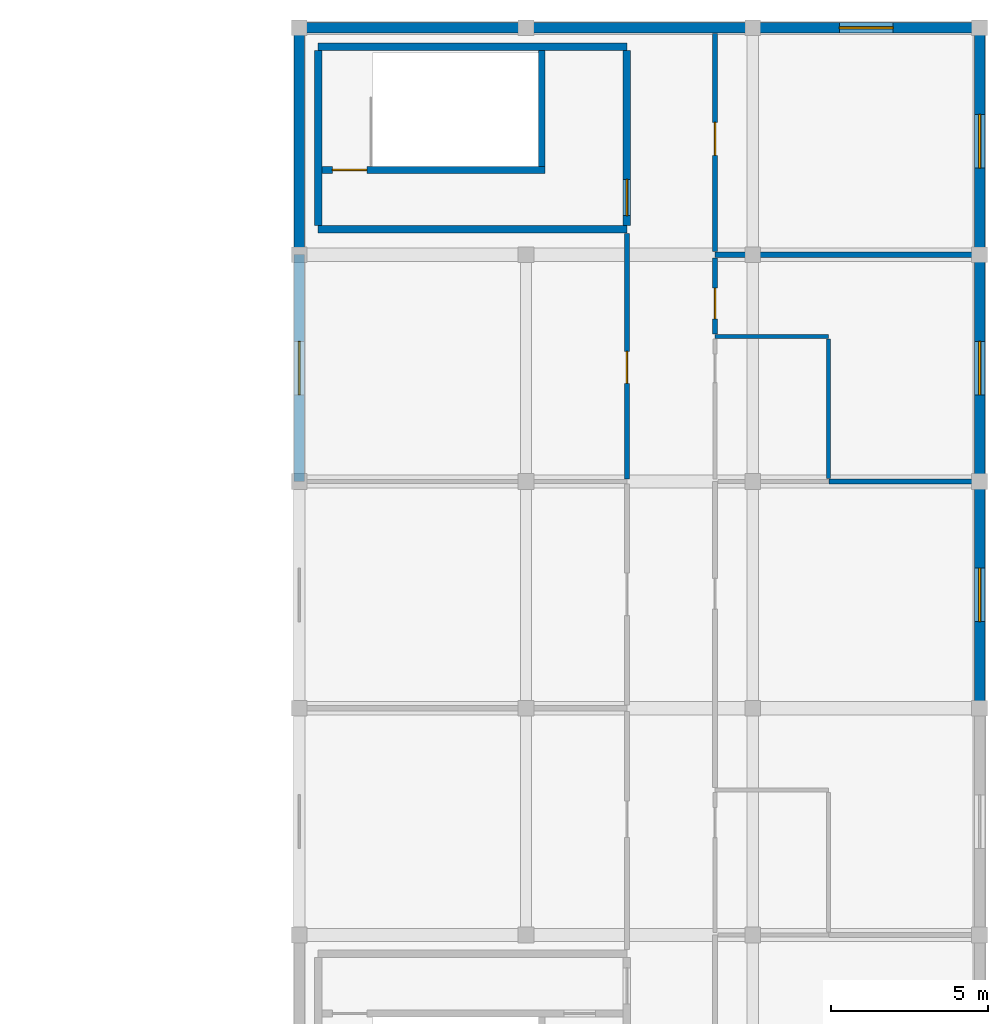
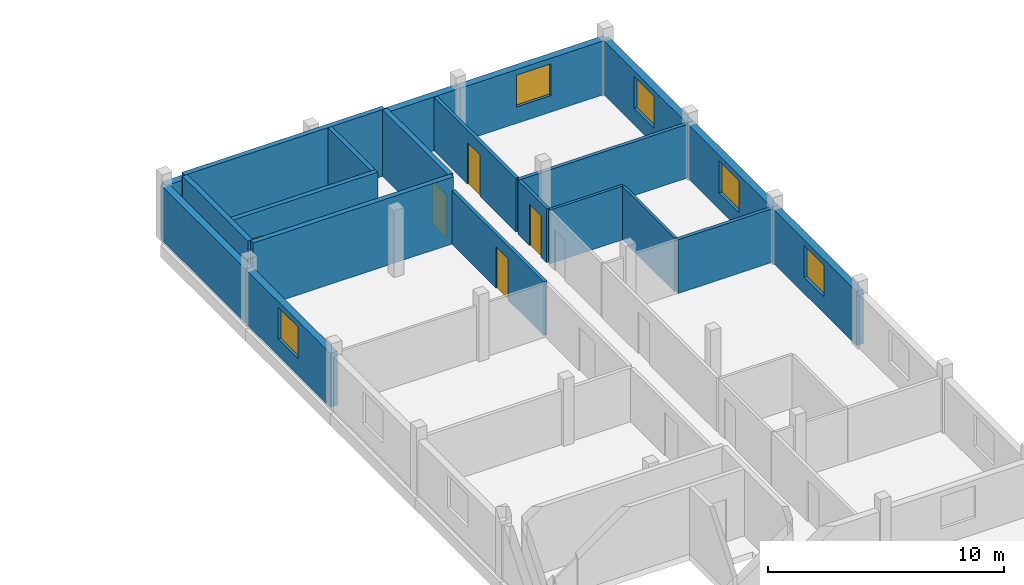
# One storey, part 23 of 26: 21 walls, 5 doors, 5 windows, 10 openings.
"""IFC4 building model written with IfcOpenShell, lengths in metres."""

from ifc_helpers import new_model, si_unit, direction, frame, frame_2d, origin, place, context, subcontext, project, spatial, rectangle, extrude, material, layer, layer_set, type_object, element, fill, save


model = new_model("IFC4")

# Units and contexts
model_context = context("Model", 3, precision=1e-05, world=origin(), true_north=direction((0.0, 1.0)))
body_context = subcontext(model_context, "Body", "Model", "MODEL_VIEW")
ifc_project = project(units=[si_unit("LENGTHUNIT", "METRE"), si_unit("AREAUNIT", "SQUARE_METRE"), si_unit("VOLUMEUNIT", "CUBIC_METRE"), si_unit("PLANEANGLEUNIT", "RADIAN"), si_unit("MASSUNIT", "GRAM", prefix="KILO")], contexts=[model_context])

# Site, building, storey
site_placement = place(None, origin())
site = spatial("IfcSite", under=ifc_project, at=site_placement, CompositionType="ELEMENT")
building_placement = place(site_placement, origin())
building = spatial("IfcBuilding", under=site, at=building_placement, Name="Zornivar Specialist Clinic", CompositionType="ELEMENT")
storey_placement = place(building_placement, frame((0.0, 0.0, 19.699951171875)))
storey = spatial("IfcBuildingStorey", under=building, at=storey_placement, Name="L05", CompositionType="ELEMENT", Elevation=19.699951171875)

# Wall, opening, window
ifc_material_1 = material(Name="Masonry Laboratory Terracotta and Stone Cavity Wall", Category="masonry")
ifc_layer_1 = layer(ifc_material_1, 0.340087890625)
ifc_layer_set_1 = layer_set([ifc_layer_1], Name="Masonry Laboratory Terracotta and Stone Cavity Wall")
wall_type_1 = type_object("IfcWallType", Name="EW-LAB-340", PredefinedType="SOLIDWALL", material=ifc_layer_set_1)
wall_1_placement = place(storey_placement, frame((165.60009765625, 86.39990234375, 0.0), z_axis=(0.0, 0.0, 1.0), x_axis=(0.0, 1.0, 0.0)))
wall_1 = element("IfcWall", 1, at=wall_1_placement, inside=storey, type_object=wall_type_1, Name="ew:V6:L05:05", PredefinedType="SOLIDWALL", context=body_context, shape_type="SweptSolid", body=[
    extrude(rectangle(XDim=7.2001953125, YDim=0.340087890625, at=frame_2d((3.60009765625, 0.0))), origin(), (0.0, 0.0, 1.0), 2.7900390625),
])
opening_1_placement = place(wall_1_placement, frame((2.75, 0.0, 0.85009765625)))
opening_1 = element("IfcOpeningElement", 2, at=opening_1_placement, cuts=wall_1, Name="Opening W-21", PredefinedType="OPENING", context=body_context, shape_type="SweptSolid", body=[
    extrude(rectangle(XDim=1.699951171875, YDim=1.64990234375, at=frame_2d((0.85009765625, 0.824951171875))), frame((0.0, 0.179931640625, 0.0), z_axis=(0.0, -1.0, 0.0), x_axis=(1.0, 0.0, 0.0)), (0.0, 0.0, 1.0), 0.360107421875),
])
ifc_material_2 = material(Name="Triple-Glazed Aluminium-Timber Window Glass", Category="wood")
window_type = type_object("IfcWindowType", Name="WIN-LAB-UPPER-1700x1650", PartitioningType="SINGLE_PANEL", PredefinedType="WINDOW", material=ifc_material_2)
window_1_placement = place(opening_1_placement, origin())
window_1 = element("IfcWindow", 3, at=window_1_placement, inside=storey, type_object=window_type, Name="win:V6:L05:05", OverallHeight=1.64990234375, OverallWidth=1.699951171875, PartitioningType="SINGLE_PANEL", PredefinedType="WINDOW", context=body_context, shape_type="SweptSolid", body=[
    extrude(rectangle(XDim=1.699951171875, YDim=1.64990234375, at=frame_2d((0.85009765625, 0.824951171875))), frame((0.0, 0.030029296875, 0.0), z_axis=(0.0, -1.0, 0.0), x_axis=(1.0, 0.0, 0.0)), (0.0, 0.0, 1.0), 0.06005859375),
])
fill(opening_1, window_1)

wall_2_placement = place(storey_placement, frame((165.60009765625, 93.60009765625, 0.0), z_axis=(0.0, 0.0, 1.0), x_axis=(0.0, 1.0, 0.0)))
wall_2 = element("IfcWall", 4, at=wall_2_placement, inside=storey, type_object=wall_type_1, Name="ew:V6:L05:06", PredefinedType="SOLIDWALL", context=body_context, shape_type="SweptSolid", body=[
    extrude(rectangle(XDim=7.199951171875, YDim=0.340087890625, at=frame_2d((3.60009765625, 0.0))), origin(), (0.0, 0.0, 1.0), 2.7900390625),
])
opening_2_placement = place(wall_2_placement, frame((2.75, 0.0, 0.85009765625)))
opening_2 = element("IfcOpeningElement", 5, at=opening_2_placement, cuts=wall_2, Name="Opening W-21", PredefinedType="OPENING", context=body_context, shape_type="SweptSolid", body=[
    extrude(rectangle(XDim=1.699951171875, YDim=1.64990234375, at=frame_2d((0.85009765625, 0.824951171875))), frame((0.0, 0.179931640625, 0.0), z_axis=(0.0, -1.0, 0.0), x_axis=(1.0, 0.0, 0.0)), (0.0, 0.0, 1.0), 0.360107421875),
])
window_2_placement = place(opening_2_placement, origin())
window_2 = element("IfcWindow", 6, at=window_2_placement, inside=storey, type_object=window_type, Name="win:V6:L05:06", OverallHeight=1.64990234375, OverallWidth=1.699951171875, PartitioningType="SINGLE_PANEL", PredefinedType="WINDOW", context=body_context, shape_type="SweptSolid", body=[
    extrude(rectangle(XDim=1.699951171875, YDim=1.64990234375, at=frame_2d((0.85009765625, 0.824951171875))), frame((0.0, 0.030029296875, 0.0), z_axis=(0.0, -1.0, 0.0), x_axis=(1.0, 0.0, 0.0)), (0.0, 0.0, 1.0), 0.06005859375),
])
fill(opening_2, window_2)

wall_3_placement = place(storey_placement, frame((165.60009765625, 100.800048828125, 0.0), z_axis=(0.0, 0.0, 1.0), x_axis=(0.0, 1.0, 0.0)))
wall_3 = element("IfcWall", 7, at=wall_3_placement, inside=storey, type_object=wall_type_1, Name="ew:V6:L05:07", PredefinedType="SOLIDWALL", context=body_context, shape_type="SweptSolid", body=[
    extrude(rectangle(XDim=7.199951171875, YDim=0.340087890625, at=frame_2d((3.60009765625, 0.0))), origin(), (0.0, 0.0, 1.0), 2.7900390625),
])
opening_3_placement = place(wall_3_placement, frame((2.75, 0.0, 0.85009765625)))
opening_3 = element("IfcOpeningElement", 8, at=opening_3_placement, cuts=wall_3, Name="Opening W-21", PredefinedType="OPENING", context=body_context, shape_type="SweptSolid", body=[
    extrude(rectangle(XDim=1.699951171875, YDim=1.64990234375, at=frame_2d((0.85009765625, 0.824951171875))), frame((0.0, 0.179931640625, 0.0), z_axis=(0.0, -1.0, 0.0), x_axis=(1.0, 0.0, 0.0)), (0.0, 0.0, 1.0), 0.360107421875),
])
window_3_placement = place(opening_3_placement, origin())
window_3 = element("IfcWindow", 9, at=window_3_placement, inside=storey, type_object=window_type, Name="win:V6:L05:07", OverallHeight=1.64990234375, OverallWidth=1.699951171875, PartitioningType="SINGLE_PANEL", PredefinedType="WINDOW", context=body_context, shape_type="SweptSolid", body=[
    extrude(rectangle(XDim=1.699951171875, YDim=1.64990234375, at=frame_2d((0.85009765625, 0.824951171875))), frame((0.0, 0.030029296875, 0.0), z_axis=(0.0, -1.0, 0.0), x_axis=(1.0, 0.0, 0.0)), (0.0, 0.0, 1.0), 0.06005859375),
])
fill(opening_3, window_3)

wall_4_placement = place(storey_placement, frame((165.60009765625, 108.0, 0.0), z_axis=(0.0, 0.0, 1.0), x_axis=(-1.0, 0.0, 0.0)))
wall_4 = element("IfcWall", 10, at=wall_4_placement, inside=storey, type_object=wall_type_1, Name="ew:V6:L05:08", PredefinedType="SOLIDWALL", context=body_context, shape_type="SweptSolid", body=[
    extrude(rectangle(XDim=7.2001953125, YDim=0.340087890625, at=frame_2d((3.60009765625, 0.0))), origin(), (0.0, 0.0, 1.0), 2.7900390625),
])
opening_4_placement = place(wall_4_placement, frame((2.75, 0.0, 0.85009765625)))
opening_4 = element("IfcOpeningElement", 11, at=opening_4_placement, cuts=wall_4, Name="Opening W-21", PredefinedType="OPENING", context=body_context, shape_type="SweptSolid", body=[
    extrude(rectangle(XDim=1.699951171875, YDim=1.64990234375, at=frame_2d((0.85009765625, 0.824951171875))), frame((0.0, 0.179931640625, 0.0), z_axis=(0.0, -1.0, 0.0), x_axis=(1.0, 0.0, 0.0)), (0.0, 0.0, 1.0), 0.360107421875),
])
window_4_placement = place(opening_4_placement, origin())
window_4 = element("IfcWindow", 12, at=window_4_placement, inside=storey, type_object=window_type, Name="win:V6:L05:08", OverallHeight=1.64990234375, OverallWidth=1.699951171875, PartitioningType="SINGLE_PANEL", PredefinedType="WINDOW", context=body_context, shape_type="SweptSolid", body=[
    extrude(rectangle(XDim=1.699951171875, YDim=1.64990234375, at=frame_2d((0.85009765625, 0.824951171875))), frame((0.0, 0.030029296875, 0.0), z_axis=(0.0, -1.0, 0.0), x_axis=(1.0, 0.0, 0.0)), (0.0, 0.0, 1.0), 0.06005859375),
])
fill(opening_4, window_4)

# Walls
for number, where, z_axis, x_axis, name in (
    (13, (158.39990234375, 108.0, 0.0), (0.0, 0.0, 1.0), (-1.0, 0.0, 0.0), "ew:V6:L05:09"),
    (14, (151.199951171875, 108.0, 0.0), (0.0, 0.0, 1.0), (-1.0, 0.0, 0.0), "ew:V6:L05:10"),
    (15, (144.0, 108.0, 0.0), (0.0, 0.0, 1.0), (0.0, -1.0, 0.0), "ew:V6:L05:11"),
):
    element("IfcWall", number, at=place(storey_placement, frame(where, z_axis=z_axis, x_axis=x_axis)), inside=storey, type_object=wall_type_1, Name=name, PredefinedType="SOLIDWALL", context=body_context, shape_type="SweptSolid", body=[
        extrude(rectangle(XDim=7.199951171875, YDim=0.340087890625, at=frame_2d((3.60009765625, 0.0))), origin(), (0.0, 0.0, 1.0), 2.7900390625),
    ])

# Wall, opening, window
wall_5_placement = place(storey_placement, frame((144.0, 100.800048828125, 0.0), z_axis=(0.0, 0.0, 1.0), x_axis=(0.0, -1.0, 0.0)))
wall_5 = element("IfcWall", 16, at=wall_5_placement, inside=storey, type_object=wall_type_1, Name="ew:V6:L05:12", PredefinedType="SOLIDWALL", context=body_context, shape_type="SweptSolid", body=[
    extrude(rectangle(XDim=7.199951171875, YDim=0.340087890625, at=frame_2d((3.60009765625, 0.0))), origin(), (0.0, 0.0, 1.0), 2.7900390625),
])
opening_5_placement = place(wall_5_placement, frame((2.75, 0.0, 0.85009765625)))
opening_5 = element("IfcOpeningElement", 17, at=opening_5_placement, cuts=wall_5, Name="Opening W-21", PredefinedType="OPENING", context=body_context, shape_type="SweptSolid", body=[
    extrude(rectangle(XDim=1.699951171875, YDim=1.64990234375, at=frame_2d((0.85009765625, 0.824951171875))), frame((0.0, 0.179931640625, 0.0), z_axis=(0.0, -1.0, 0.0), x_axis=(1.0, 0.0, 0.0)), (0.0, 0.0, 1.0), 0.360107421875),
])
window_5_placement = place(opening_5_placement, origin())
window_5 = element("IfcWindow", 18, at=window_5_placement, inside=storey, type_object=window_type, Name="win:V6:L05:12", OverallHeight=1.64990234375, OverallWidth=1.699951171875, PartitioningType="SINGLE_PANEL", PredefinedType="WINDOW", context=body_context, shape_type="SweptSolid", body=[
    extrude(rectangle(XDim=1.699951171875, YDim=1.64990234375, at=frame_2d((0.85009765625, 0.824951171875))), frame((0.0, 0.030029296875, 0.0), z_axis=(0.0, -1.0, 0.0), x_axis=(1.0, 0.0, 0.0)), (0.0, 0.0, 1.0), 0.06005859375),
])
fill(opening_5, window_5)

# Wall, opening, door
ifc_material_3 = material(Name="Gypsum Fire-Rated Double Stud Partition")
ifc_layer_2 = layer(ifc_material_3, 0.159912109375)
ifc_layer_set_2 = layer_set([ifc_layer_2], Name="Gypsum Fire-Rated Double Stud Partition")
wall_type_2 = type_object("IfcWallType", Name="IW-CORR-EI60-160", PredefinedType="PARTITIONING", material=ifc_layer_set_2)
wall_6_placement = place(storey_placement, frame((154.39990234375, 101.465087890625, 0.0), z_axis=(0.0, 0.0, 1.0), x_axis=(0.0, -1.0, 0.0)))
wall_6 = element("IfcWall", 19, at=wall_6_placement, inside=storey, type_object=wall_type_2, Name="iw:L05:033", PredefinedType="PARTITIONING", context=body_context, shape_type="SweptSolid", body=[
    extrude(rectangle(XDim=7.791015625, YDim=0.159912109375, at=frame_2d((3.8955078125, 0.0))), origin(), (0.0, 0.0, 1.0), 2.780029296875),
])
opening_6_placement = place(wall_6_placement, frame((3.73388671875, 0.0, 0.0)))
opening_6 = element("IfcOpeningElement", 20, at=opening_6_placement, cuts=wall_6, Name="Opening ID-14", PredefinedType="OPENING", context=body_context, shape_type="SweptSolid", body=[
    extrude(rectangle(XDim=1.02001953125, YDim=2.14990234375, at=frame_2d((0.510009765625, 1.074951171875))), frame((0.0, 0.08984375, 0.0), z_axis=(0.0, -1.0, 0.0), x_axis=(1.0, 0.0, 0.0)), (0.0, 0.0, 1.0), 0.179931640625),
])
ifc_material_4 = material(Name="Solid-Core Hygienic Laminate Timber Door", Category="wood")
door_type_1 = type_object("IfcDoorType", Name="ID-OFFICE-1020x2150", OperationType="NOTDEFINED", PredefinedType="DOOR", material=ifc_material_4)
door_1_placement = place(opening_6_placement, origin())
door_1 = element("IfcDoor", 21, at=door_1_placement, inside=storey, type_object=door_type_1, Name="door:space:V6:L05:rm:02", OperationType="SINGLE_SWING_LEFT", OverallHeight=2.14990234375, OverallWidth=1.02001953125, PredefinedType="DOOR", context=body_context, shape_type="SweptSolid", body=[
    extrude(rectangle(XDim=1.02001953125, YDim=2.14990234375, at=frame_2d((0.510009765625, 1.074951171875))), frame((0.0, 0.02490234375, 0.0), z_axis=(0.0, -1.0, 0.0), x_axis=(1.0, 0.0, 0.0)), (0.0, 0.0, 1.0), 0.050048828125),
])
fill(opening_6, door_1)

wall_7_placement = place(storey_placement, frame((157.199951171875, 98.279052734375, 0.0), z_axis=(0.0, 0.0, 1.0), x_axis=(0.0, 1.0, 0.0)))
wall_7 = element("IfcWall", 22, at=wall_7_placement, inside=storey, type_object=wall_type_2, Name="iw:L05:047", PredefinedType="PARTITIONING", context=body_context, shape_type="SweptSolid", body=[
    extrude(rectangle(XDim=2.421875, YDim=0.159912109375, at=frame_2d((1.2109375, 0.0))), origin(), (0.0, 0.0, 1.0), 2.780029296875),
])
opening_7_placement = place(wall_7_placement, frame((0.47998046875, 0.0, 0.0)))
opening_7 = element("IfcOpeningElement", 23, at=opening_7_placement, cuts=wall_7, Name="Opening ID-09", PredefinedType="OPENING", context=body_context, shape_type="SweptSolid", body=[
    extrude(rectangle(XDim=0.97998046875, YDim=2.14990234375, at=frame_2d((0.489990234375, 1.074951171875))), frame((0.0, 0.08984375, 0.0), z_axis=(0.0, -1.0, 0.0), x_axis=(1.0, 0.0, 0.0)), (0.0, 0.0, 1.0), 0.179931640625),
])
ifc_material_5 = material(Name="Solid-Core Hygienic Laminate Timber Door", Category="wood")
door_type_2 = type_object("IfcDoorType", Name="ID-STAFF-0980x2150", OperationType="NOTDEFINED", PredefinedType="DOOR", material=ifc_material_5)
door_2_placement = place(opening_7_placement, origin())
door_2 = element("IfcDoor", 24, at=door_2_placement, inside=storey, type_object=door_type_2, Name="door:space:V6:L05:rm:06b", OperationType="SINGLE_SWING_RIGHT", OverallHeight=2.14990234375, OverallWidth=0.97998046875, PredefinedType="DOOR", context=body_context, shape_type="SweptSolid", body=[
    extrude(rectangle(XDim=0.97998046875, YDim=2.14990234375, at=frame_2d((0.489990234375, 1.074951171875))), frame((0.0, 0.02490234375, 0.0), z_axis=(0.0, -1.0, 0.0), x_axis=(1.0, 0.0, 0.0)), (0.0, 0.0, 1.0), 0.050048828125),
])
fill(opening_7, door_2)

wall_8_placement = place(storey_placement, frame((157.199951171875, 100.89892578125, 0.0), z_axis=(0.0, 0.0, 1.0), x_axis=(0.0, 1.0, 0.0)))
wall_8 = element("IfcWall", 25, at=wall_8_placement, inside=storey, type_object=wall_type_2, Name="iw:L05:048", PredefinedType="PARTITIONING", context=body_context, shape_type="SweptSolid", body=[
    extrude(rectangle(XDim=6.916015625, YDim=0.159912109375, at=frame_2d((3.4580078125, 0.0))), origin(), (0.0, 0.0, 1.0), 2.780029296875),
])
opening_8_placement = place(wall_8_placement, frame((3.050048828125, 0.0, 0.0)))
opening_8 = element("IfcOpeningElement", 26, at=opening_8_placement, cuts=wall_8, Name="Opening ID-03", PredefinedType="OPENING", context=body_context, shape_type="SweptSolid", body=[
    extrude(rectangle(XDim=1.050048828125, YDim=2.14990234375, at=frame_2d((0.52490234375, 1.074951171875))), frame((0.0, 0.08984375, 0.0), z_axis=(0.0, -1.0, 0.0), x_axis=(1.0, 0.0, 0.0)), (0.0, 0.0, 1.0), 0.179931640625),
])
ifc_material_6 = material(Name="Solid-Core Hygienic Laminate Timber Door", Category="wood")
door_type_3 = type_object("IfcDoorType", Name="ID-CONS-1050x2150", OperationType="NOTDEFINED", PredefinedType="DOOR", material=ifc_material_6)
door_3_placement = place(opening_8_placement, origin())
door_3 = element("IfcDoor", 27, at=door_3_placement, inside=storey, type_object=door_type_3, Name="door:space:V6:L05:rm:08", OperationType="SINGLE_SWING_LEFT", OverallHeight=2.14990234375, OverallWidth=1.050048828125, PredefinedType="DOOR", context=body_context, shape_type="SweptSolid", body=[
    extrude(rectangle(XDim=1.050048828125, YDim=2.14990234375, at=frame_2d((0.52490234375, 1.074951171875))), frame((0.0, 0.02490234375, 0.0), z_axis=(0.0, -1.0, 0.0), x_axis=(1.0, 0.0, 0.0)), (0.0, 0.0, 1.0), 0.050048828125),
])
fill(opening_8, door_3)

# Walls
ifc_material_7 = material(Name="Laboratory Chemical-Resistant Stud Partition")
ifc_layer_3 = layer(ifc_material_7, 0.169921875)
ifc_layer_set_3 = layer_set([ifc_layer_3], Name="Laboratory Chemical-Resistant Stud Partition")
wall_type_3 = type_object("IfcWallType", Name="IW-LAB-EI60-170", PredefinedType="PARTITIONING", material=ifc_layer_set_3)
wall_9_placement = place(storey_placement, frame((160.81201171875, 93.60009765625, 0.0), z_axis=(0.0, 0.0, 1.0), x_axis=(1.0, 0.0, 0.0)))
element("IfcWall", 28, at=wall_9_placement, inside=storey, type_object=wall_type_3, Name="iw:L05:042", PredefinedType="PARTITIONING", context=body_context, shape_type="SweptSolid", body=[
    extrude(rectangle(XDim=4.60302734375, YDim=0.169921875, at=frame_2d((2.301513671875, 0.0))), origin(), (0.0, 0.0, 1.0), 2.780029296875),
])
wall_10_placement = place(storey_placement, frame((157.199951171875, 100.800048828125, 0.0), z_axis=(0.0, 0.0, 1.0), x_axis=(1.0, 0.0, 0.0)))
element("IfcWall", 29, at=wall_10_placement, inside=storey, type_object=wall_type_3, Name="iw:L05:046", PredefinedType="PARTITIONING", context=body_context, shape_type="SweptSolid", body=[
    extrude(rectangle(XDim=8.215087890625, YDim=0.169921875, at=frame_2d((4.107421875, 0.0))), origin(), (0.0, 0.0, 1.0), 2.780029296875),
])
ifc_material_8 = material(Name="Moisture-Resistant Sanitary Partition")
ifc_layer_4 = layer(ifc_material_8, 0.1298828125)
ifc_layer_set_4 = layer_set([ifc_layer_4], Name="Moisture-Resistant Sanitary Partition")
wall_type_4 = type_object("IfcWallType", Name="IW-WET-130", PredefinedType="PARTITIONING", material=ifc_layer_set_4)
wall_11_placement = place(storey_placement, frame((157.199951171875, 98.199951171875, 0.0), z_axis=(0.0, 0.0, 1.0), x_axis=(1.0, 0.0, 0.0)))
element("IfcWall", 30, at=wall_11_placement, inside=storey, type_object=wall_type_4, Name="iw:L05:043", PredefinedType="PARTITIONING", context=body_context, shape_type="SweptSolid", body=[
    extrude(rectangle(XDim=3.60009765625, YDim=0.1298828125, at=frame_2d((1.800048828125, 0.0))), origin(), (0.0, 0.0, 1.0), 2.780029296875),
])
wall_12_placement = place(storey_placement, frame((160.800048828125, 98.12109375, 0.0), z_axis=(0.0, 0.0, 1.0), x_axis=(0.0, -1.0, 0.0)))
element("IfcWall", 31, at=wall_12_placement, inside=storey, type_object=wall_type_4, Name="iw:L05:044", PredefinedType="PARTITIONING", context=body_context, shape_type="SweptSolid", body=[
    extrude(rectangle(XDim=4.422119140625, YDim=0.1298828125, at=frame_2d((2.2109375, 0.0))), origin(), (0.0, 0.0, 1.0), 2.780029296875),
])
ifc_material_9 = material(Name="Concrete C35/45", Category="concrete")
ifc_layer_5 = layer(ifc_material_9, 0.239990234375)
ifc_layer_set_5 = layer_set([ifc_layer_5], Name="Concrete C35/45")
wall_type_5 = type_object("IfcWallType", Name="SW-CORE-240", PredefinedType="SHEAR", material=ifc_layer_set_5)
wall_13_placement = place(storey_placement, frame((144.60009765625, 101.60009765625, 0.0), z_axis=(0.0, 0.0, 1.0), x_axis=(1.0, 0.0, 0.0)))
element("IfcWall", 32, at=wall_13_placement, inside=storey, type_object=wall_type_5, Name="sw:C10:L05:w0", PredefinedType="SHEAR", context=body_context, shape_type="SweptSolid", body=[
    extrude(rectangle(XDim=9.7998046875, YDim=0.239990234375, at=frame_2d((4.89990234375, 0.0))), origin(), (0.0, 0.0, 1.0), 3.4599609375),
])

# Wall, opening, door
wall_14_placement = place(storey_placement, frame((154.39990234375, 101.719970703125, 0.0), z_axis=(0.0, 0.0, 1.0), x_axis=(0.0, 1.0, 0.0)))
wall_14 = element("IfcWall", 33, at=wall_14_placement, inside=storey, type_object=wall_type_5, Name="sw:C10:L05:w1", PredefinedType="SHEAR", context=body_context, shape_type="SweptSolid", body=[
    extrude(rectangle(XDim=5.56005859375, YDim=0.239990234375, at=frame_2d((2.780029296875, 0.0))), origin(), (0.0, 0.0, 1.0), 3.4599609375),
])
opening_9_placement = place(wall_14_placement, frame((0.320068359375, 0.0, 0.0)))
opening_9 = element("IfcOpeningElement", 34, at=opening_9_placement, cuts=wall_14, Name="Opening FD-03", PredefinedType="OPENING", context=body_context, shape_type="SweptSolid", body=[
    extrude(rectangle(XDim=1.14990234375, YDim=2.199951171875, at=frame_2d((0.574951171875, 1.10009765625))), frame((0.0, 0.1298828125, 0.0), z_axis=(0.0, -1.0, 0.0), x_axis=(1.0, 0.0, 0.0)), (0.0, 0.0, 1.0), 0.260009765625),
])
ifc_material_10 = material(Name="Solid-Core Hygienic Laminate Timber Door", Category="wood")
door_type_4 = type_object("IfcDoorType", Name="FD-LOBBY-UPPER-1150x2200", OperationType="NOTDEFINED", PredefinedType="DOOR", material=ifc_material_10)
door_4_placement = place(opening_9_placement, origin())
door_4 = element("IfcDoor", 35, at=door_4_placement, inside=storey, type_object=door_type_4, Name="door:C10:L05:lob", OperationType="SINGLE_SWING_RIGHT", OverallHeight=2.199951171875, OverallWidth=1.14990234375, PredefinedType="DOOR", context=body_context, shape_type="SweptSolid", body=[
    extrude(rectangle(XDim=1.14990234375, YDim=2.199951171875, at=frame_2d((0.574951171875, 1.10009765625))), frame((0.0, 0.02490234375, 0.0), z_axis=(0.0, -1.0, 0.0), x_axis=(1.0, 0.0, 0.0)), (0.0, 0.0, 1.0), 0.050048828125),
])
fill(opening_9, door_4)

# Walls
wall_15_placement = place(storey_placement, frame((154.39990234375, 107.39990234375, 0.0), z_axis=(0.0, 0.0, 1.0), x_axis=(-1.0, 0.0, 0.0)))
element("IfcWall", 36, at=wall_15_placement, inside=storey, type_object=wall_type_5, Name="sw:C10:L05:w2", PredefinedType="SHEAR", context=body_context, shape_type="SweptSolid", body=[
    extrude(rectangle(XDim=9.7998046875, YDim=0.239990234375, at=frame_2d((4.89990234375, 0.0))), origin(), (0.0, 0.0, 1.0), 3.4599609375),
])
wall_16_placement = place(storey_placement, frame((144.60009765625, 107.280029296875, 0.0), z_axis=(0.0, 0.0, 1.0), x_axis=(0.0, -1.0, 0.0)))
element("IfcWall", 37, at=wall_16_placement, inside=storey, type_object=wall_type_5, Name="sw:C10:L05:w3", PredefinedType="SHEAR", context=body_context, shape_type="SweptSolid", body=[
    extrude(rectangle(XDim=5.56005859375, YDim=0.239990234375, at=frame_2d((2.780029296875, 0.0))), origin(), (0.0, 0.0, 1.0), 3.4599609375),
])
ifc_material_11 = material(Name="Concrete C30/37", Category="concrete")
ifc_layer_6 = layer(ifc_material_11, 0.199951171875)
ifc_layer_set_6 = layer_set([ifc_layer_6], Name="Concrete C30/37")
wall_type_6 = type_object("IfcWallType", Name="SW-LIFT-200", PredefinedType="SHEAR", material=ifc_layer_set_6)
wall_17_placement = place(storey_placement, frame((151.699951171875, 103.60009765625, 0.0), z_axis=(0.0, 0.0, 1.0), x_axis=(0.0, 1.0, 0.0)))
element("IfcWall", 38, at=wall_17_placement, inside=storey, type_object=wall_type_6, Name="sw:C10:L05:sdiv", PredefinedType="SHEAR", context=body_context, shape_type="SweptSolid", body=[
    extrude(rectangle(XDim=3.679931640625, YDim=0.199951171875, at=frame_2d((1.83984375, 0.0))), origin(), (0.0, 0.0, 1.0), 3.4599609375),
])

# Wall, opening, door
ifc_material_12 = material(Name="Concrete C30/37", Category="concrete")
ifc_layer_7 = layer(ifc_material_12, 0.219970703125)
ifc_layer_set_7 = layer_set([ifc_layer_7], Name="Concrete C30/37")
wall_type_7 = type_object("IfcWallType", Name="SW-SHAFT-220", PredefinedType="SHEAR", material=ifc_layer_set_7)
wall_18_placement = place(storey_placement, frame((144.719970703125, 103.489990234375, 0.0), z_axis=(0.0, 0.0, 1.0), x_axis=(1.0, 0.0, 0.0)))
wall_18 = element("IfcWall", 39, at=wall_18_placement, inside=storey, type_object=wall_type_7, Name="sw:C10:L05:stwall", PredefinedType="SHEAR", context=body_context, shape_type="SweptSolid", body=[
    extrude(rectangle(XDim=7.080078125, YDim=0.219970703125, at=frame_2d((3.5400390625, 0.0))), origin(), (0.0, 0.0, 1.0), 3.4599609375),
])
opening_10_placement = place(wall_18_placement, frame((0.330078125, 0.0, 0.0)))
opening_10 = element("IfcOpeningElement", 40, at=opening_10_placement, cuts=wall_18, Name="Opening FD-02", PredefinedType="OPENING", context=body_context, shape_type="SweptSolid", body=[
    extrude(rectangle(XDim=1.10009765625, YDim=2.14990234375, at=frame_2d((0.550048828125, 1.074951171875))), frame((0.0, 0.119873046875, 0.0), z_axis=(0.0, -1.0, 0.0), x_axis=(1.0, 0.0, 0.0)), (0.0, 0.0, 1.0), 0.239990234375),
])
ifc_material_13 = material(Name="Solid-Core Hygienic Laminate Timber Door", Category="wood")
door_type_5 = type_object("IfcDoorType", Name="FD-STAIR-1100x2150", OperationType="NOTDEFINED", PredefinedType="DOOR", material=ifc_material_13)
door_5_placement = place(opening_10_placement, origin())
door_5 = element("IfcDoor", 41, at=door_5_placement, inside=storey, type_object=door_type_5, Name="door:C10:L05:stair", OperationType="SINGLE_SWING_LEFT", OverallHeight=2.14990234375, OverallWidth=1.10009765625, PredefinedType="DOOR", context=body_context, shape_type="SweptSolid", body=[
    extrude(rectangle(XDim=1.10009765625, YDim=2.14990234375, at=frame_2d((0.550048828125, 1.074951171875))), frame((0.0, 0.02490234375, 0.0), z_axis=(0.0, -1.0, 0.0), x_axis=(1.0, 0.0, 0.0)), (0.0, 0.0, 1.0), 0.050048828125),
])
fill(opening_10, door_5)

save(model, "model.ifc")
